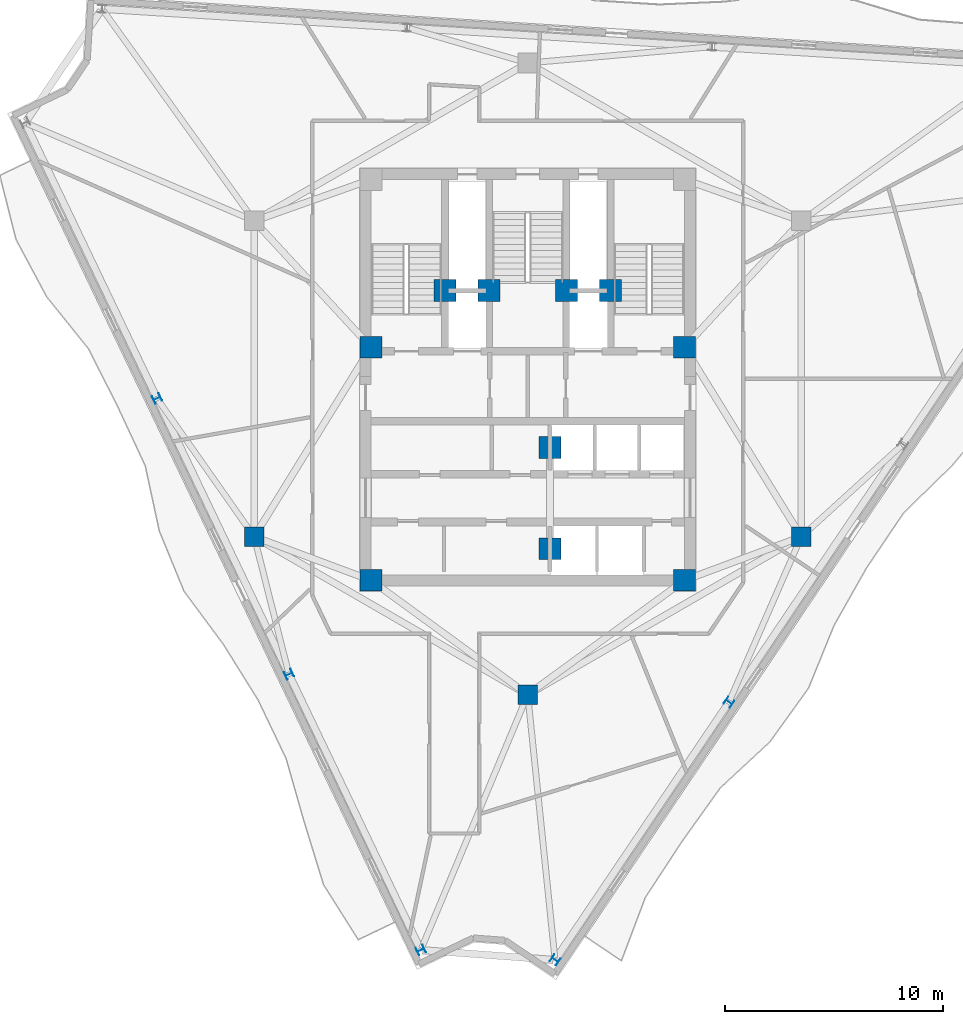
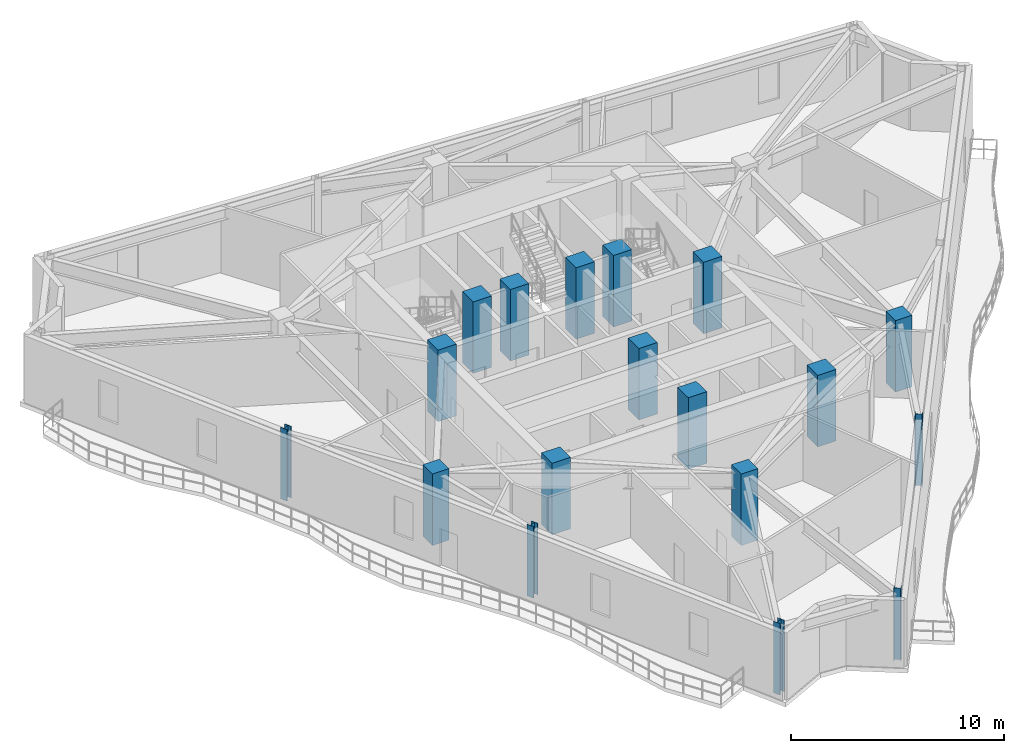
# One storey, part 1 of 11: 18 columns.
"""IFC4 building model written with IfcOpenShell, lengths in metres."""

from ifc_helpers import new_model, si_unit, direction, frame, origin, origin_2d, place, context, subcontext, project, spatial, rectangle, i_section, extrude, material, material_profile, profile_set, type_object, element, save


model = new_model("IFC4")

# Units and contexts
model_context = context("Model", 3, precision=1e-05, world=origin(), true_north=direction((0.0, 1.0)))
body_context = subcontext(model_context, "Body", "Model", "MODEL_VIEW")
ifc_project = project(units=[si_unit("LENGTHUNIT", "METRE"), si_unit("AREAUNIT", "SQUARE_METRE"), si_unit("VOLUMEUNIT", "CUBIC_METRE"), si_unit("PLANEANGLEUNIT", "RADIAN"), si_unit("MASSUNIT", "GRAM", prefix="KILO")], contexts=[model_context])

# Site, building, storey
site_placement = place(None, origin())
site = spatial("IfcSite", under=ifc_project, at=site_placement, CompositionType="ELEMENT")
building_placement = place(site_placement, origin())
building = spatial("IfcBuilding", under=site, at=building_placement, Name="Apsidion Concourse Tower", CompositionType="ELEMENT")
storey_placement = place(building_placement, frame((0.0, 0.0, 306.5)))
storey = spatial("IfcBuildingStorey", under=building, at=storey_placement, Name="L72", CompositionType="ELEMENT", Elevation=306.5)

# Columns
ifc_material_1 = material(Name="Concrete C50/60", Category="concrete")
ifc_material_profile_1 = material_profile(ifc_material_1, rectangle(XDim=1.0, YDim=1.0, at=origin_2d()), Name="RC 1000x1000")
ifc_profile_set_1 = profile_set([ifc_material_profile_1], Name="Concrete C50/60")
column_type_1 = type_object("IfcColumnType", Name="COL-RC-1000", PredefinedType="COLUMN", material=ifc_profile_set_1)
for number, where, z_axis, x_axis, name in (
    (1, (-7.199951171875, -9.25, 0.0), (0.0, 0.0, 1.0), (1.0, 0.0, 0.0), "L72 Core Super-Column SC1"),
    (2, (7.199951171875, -9.25, 0.0), (0.0, 0.0, 1.0), (1.0, 0.0, 0.0), "L72 Core Super-Column SC2"),
    (3, (7.199951171875, 1.449951171875, 0.0), (0.0, 0.0, 1.0), (1.0, 0.0, 0.0), "L72 Core Super-Column SC3"),
    (4, (-7.199951171875, 1.449951171875, 0.0), (0.0, 0.0, 1.0), (1.0, 0.0, 0.0), "L72 Core Super-Column SC6"),
    (5, (-3.800048828125, 4.050048828125, 0.0), (0.0, 0.0, 1.0), (1.0, 0.0, 0.0), "L72 Core Super-Column CC1"),
    (6, (3.800048828125, 4.050048828125, 0.0), (0.0, 0.0, 1.0), (1.0, 0.0, 0.0), "L72 Core Super-Column CC2"),
    (7, (-1.77490234375, 4.050048828125, 0.0), (0.0, 0.0, 1.0), (1.0, 0.0, 0.0), "L72 Core Super-Column CC3"),
    (8, (1.77490234375, 4.050048828125, 0.0), (0.0, 0.0, 1.0), (1.0, 0.0, 0.0), "L72 Core Super-Column CC4"),
    (9, (1.02490234375, -3.14990234375, 0.0), (0.0, 0.0, 1.0), (1.0, 0.0, 0.0), "L72 Core Super-Column CC5"),
    (10, (1.02490234375, -7.800048828125, 0.0), (0.0, 0.0, 1.0), (1.0, 0.0, 0.0), "L72 Core Super-Column CC6"),
):
    element("IfcColumn", number, at=place(storey_placement, frame(where, z_axis=z_axis, x_axis=x_axis)), inside=storey, type_object=column_type_1, Name=name, PredefinedType="COLUMN", context=body_context, shape_type="SweptSolid", body=[
        extrude(rectangle(XDim=1.0, YDim=1.0, at=origin_2d()), origin(), (0.0, 0.0, 1.0), 4.10009765625),
    ])
ifc_material_profile_2 = material_profile(ifc_material_1, rectangle(XDim=0.89990234375, YDim=0.89990234375, at=origin_2d()), Name="RC 900x900")
ifc_profile_set_2 = profile_set([ifc_material_profile_2], Name="Concrete C50/60")
column_type_2 = type_object("IfcColumnType", Name="COL-RC-900", PredefinedType="COLUMN", material=ifc_profile_set_2)
for number, where, z_axis, x_axis, name in (
    (11, (-12.56005859375, -7.25, 0.0), (0.0, 0.0, 1.0), (1.0, 0.0, 0.0), "L72 Interior Spine Column IC1"),
    (12, (12.56005859375, -7.25, 0.0), (0.0, 0.0, 1.0), (1.0, 0.0, 0.0), "L72 Interior Spine Column IC2"),
    (13, (0.0, -14.5, 0.0), (0.0, 0.0, 1.0), (1.0, 0.0, 0.0), "L72 Interior Spine Column IC6"),
):
    element("IfcColumn", number, at=place(storey_placement, frame(where, z_axis=z_axis, x_axis=x_axis)), inside=storey, type_object=column_type_2, Name=name, PredefinedType="COLUMN", context=body_context, shape_type="SweptSolid", body=[
        extrude(rectangle(XDim=0.89990234375, YDim=0.89990234375, at=origin_2d()), origin(), (0.0, 0.0, 1.0), 4.10009765625),
    ])
ifc_material_2 = material(Name="Structural steel ASTM A992 Grade 50", Category="steel")
ifc_material_profile_3 = material_profile(ifc_material_2, i_section(OverallWidth=0.367919921875, OverallDepth=0.35595703125, WebThickness=0.01123046875, FlangeThickness=0.01806640625, at=origin_2d()), Name="W14X90")
ifc_profile_set_3 = profile_set([ifc_material_profile_3], Name="Structural steel ASTM A992 Grade 50")
column_type_3 = type_object("IfcColumnType", Name="COL-W14-90", PredefinedType="COLUMN", material=ifc_profile_set_3)
for number, where, z_axis, x_axis, name in (
    (14, (-17.019287109375, -0.9033203125, 0.0), (0.0, 0.0, 1.0), (-0.431298587031, 0.902209248913, 0.0), "L72 Rotated Perimeter Column PC02"),
    (15, (-10.965576171875, -13.56494140625, 0.0), (0.0, 0.0, 1.0), (-0.431298587031, 0.902209248913, 0.0), "L72 Rotated Perimeter Column PC03"),
    (16, (-4.91162109375, -26.226806640625, 0.0), (0.0, 0.0, 1.0), (-0.431298587031, 0.902209248913, 0.0), "L72 Rotated Perimeter Column PC04"),
    (17, (1.25390625, -26.681884765625, 0.0), (0.0, 0.0, 1.0), (0.559192903471, 0.829037572555, 0.0), "L72 Rotated Perimeter Column PC05"),
    (18, (9.239013671875, -14.84375, 0.0), (0.0, 0.0, 1.0), (0.559192903471, 0.829037572555, 0.0), "L72 Rotated Perimeter Column PC06"),
):
    element("IfcColumn", number, at=place(storey_placement, frame(where, z_axis=z_axis, x_axis=x_axis)), inside=storey, type_object=column_type_3, Name=name, PredefinedType="COLUMN", context=body_context, shape_type="SweptSolid", body=[
        extrude(i_section(OverallWidth=0.367919921875, OverallDepth=0.35595703125, WebThickness=0.01123046875, FlangeThickness=0.01806640625, at=origin_2d()), origin(), (0.0, 0.0, 1.0), 4.10009765625),
    ])

save(model, "model.ifc")
